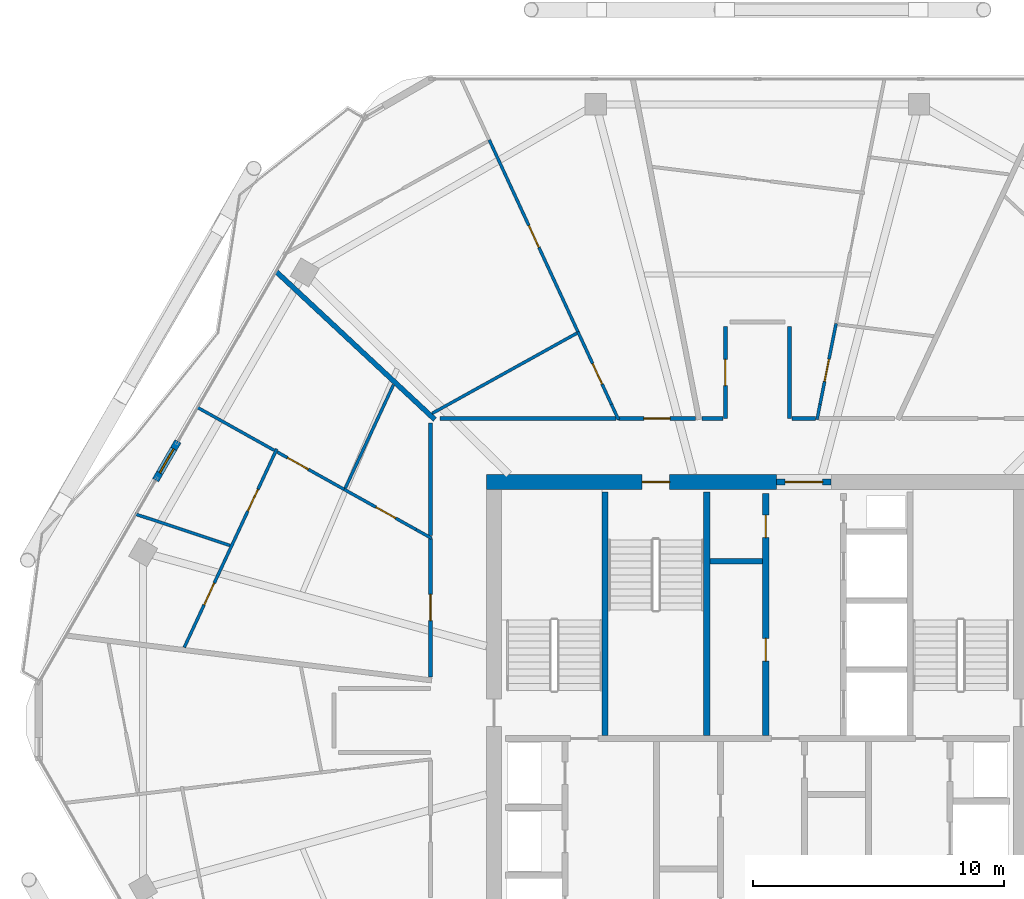
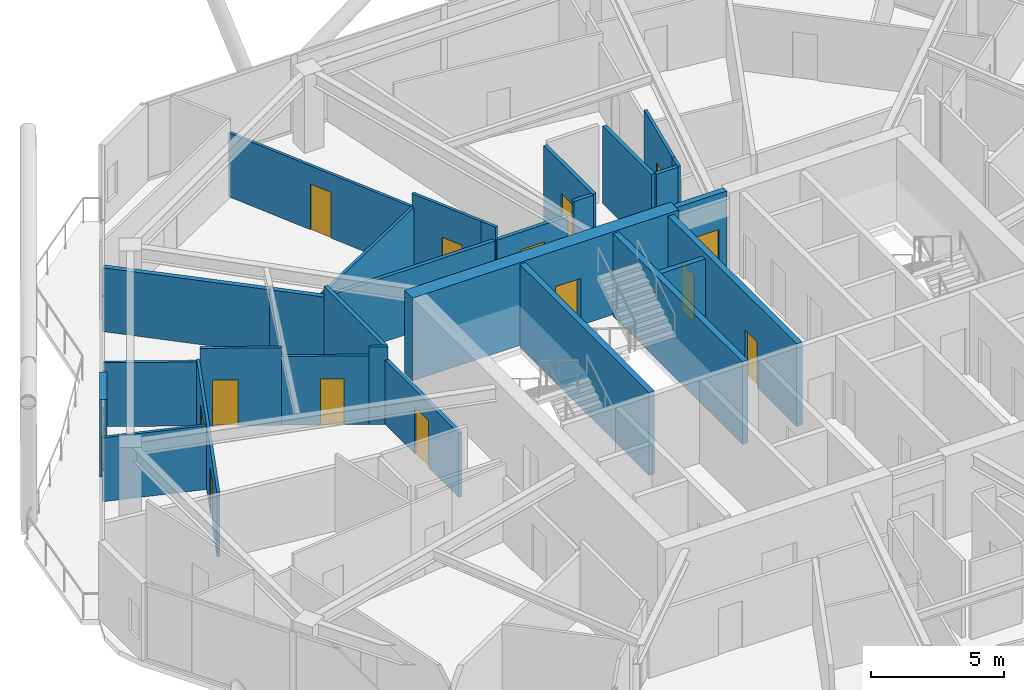
# One storey, part 23 of 29: 29 walls, 15 doors, 15 openings.
"""IFC4 building model written with IfcOpenShell, lengths in metres."""

from ifc_helpers import new_model, si_unit, direction, frame, frame_2d, origin, place, context, subcontext, project, spatial, rectangle, extrude, material, layer, layer_set, type_object, element, fill, save


model = new_model("IFC4")

# Units and contexts
model_context = context("Model", 3, precision=1e-05, world=origin(), true_north=direction((0.0, 1.0)))
body_context = subcontext(model_context, "Body", "Model", "MODEL_VIEW")
ifc_project = project(units=[si_unit("LENGTHUNIT", "METRE"), si_unit("AREAUNIT", "SQUARE_METRE"), si_unit("VOLUMEUNIT", "CUBIC_METRE"), si_unit("PLANEANGLEUNIT", "RADIAN"), si_unit("MASSUNIT", "GRAM", prefix="KILO")], contexts=[model_context])

# Site, building, storey
site_placement = place(None, origin())
site = spatial("IfcSite", under=ifc_project, at=site_placement, CompositionType="ELEMENT")
building_placement = place(site_placement, origin())
building = spatial("IfcBuilding", under=site, at=building_placement, Name="Zuhravey Tower", CompositionType="ELEMENT")
storey_placement = place(building_placement, frame((0.0, 0.0, 269.199951171875)))
storey = spatial("IfcBuildingStorey", under=building, at=storey_placement, Name="L68", CompositionType="ELEMENT", Elevation=269.199951171875)

# Wall, opening, door
ifc_material_1 = material(Name="Concrete C50/60", Category="concrete")
ifc_layer_1 = layer(ifc_material_1, 0.60009765625)
ifc_layer_set_1 = layer_set([ifc_layer_1], Name="Concrete C50/60")
wall_type_1 = type_object("IfcWallType", Name="Core Shear Wall 600", PredefinedType="SHEAR", material=ifc_layer_set_1)
wall_1_placement = place(storey_placement, frame((36.75, 41.5, 0.0), z_axis=(0.0, 0.0, 1.0), x_axis=(-1.0, 0.0, 0.0)))
wall_1 = element("IfcWall", 1, at=wall_1_placement, inside=storey, type_object=wall_type_1, Name="L68 North-West Core Shear Wall CW60", PredefinedType="SHEAR", context=body_context, shape_type="SweptSolid", body=[
    extrude(rectangle(XDim=11.550048828125, YDim=0.60009765625, at=frame_2d((5.77490234375, 0.0))), origin(), (0.0, 0.0, 1.0), 3.800048828125),
])
opening_1_placement = place(wall_1_placement, frame((4.25, 0.0, 0.0)))
opening_1 = element("IfcOpeningElement", 2, at=opening_1_placement, cuts=wall_1, Name="Opening STD1", PredefinedType="OPENING", context=body_context, shape_type="SweptSolid", body=[
    extrude(rectangle(XDim=1.10009765625, YDim=2.14990234375, at=frame_2d((0.550048828125, 1.074951171875))), frame((0.0, 0.31201171875, 0.0), z_axis=(0.0, -1.0, 0.0), x_axis=(1.0, 0.0, 0.0)), (0.0, 0.0, 1.0), 0.6240234375),
])
ifc_material_2 = material(Name="Galvanised fire-rated steel leaf", Category="steel")
door_type_1 = type_object("IfcDoorType", Name="Protected Stair Fire Door 1100x2150", OperationType="NOTDEFINED", PredefinedType="USERDEFINED", material=ifc_material_2)
door_1_placement = place(opening_1_placement, origin())
door_1 = element("IfcDoor", 3, at=door_1_placement, inside=storey, type_object=door_type_1, Name="L68 Stair ST3 Door", ObjectType="EXITDOOR", OperationType="SINGLE_SWING_RIGHT", OverallHeight=2.14990234375, OverallWidth=1.10009765625, PredefinedType="USERDEFINED", context=body_context, shape_type="SweptSolid", body=[
    extrude(rectangle(XDim=1.10009765625, YDim=2.14990234375, at=frame_2d((0.550048828125, 1.074951171875))), frame((0.0, 0.02490234375, 0.0), z_axis=(0.0, -1.0, 0.0), x_axis=(1.0, 0.0, 0.0)), (0.0, 0.0, 1.0), 0.050048828125),
])
fill(opening_1, door_1)

ifc_material_3 = material(Name="Gypsum fire-rated stud partition")
ifc_layer_2 = layer(ifc_material_3, 0.159912109375)
ifc_layer_set_2 = layer_set([ifc_layer_2], Name="Gypsum fire-rated stud partition")
wall_type_2 = type_object("IfcWallType", Name="Corridor Fire Partition 160", PredefinedType="PARTITIONING", material=ifc_layer_set_2)
wall_2_placement = place(storey_placement, frame((22.969970703125, 39.25927734375, 0.0), z_axis=(0.0, 0.0, 1.0), x_axis=(0.0, -1.0, 0.0)))
wall_2 = element("IfcWall", 4, at=wall_2_placement, inside=storey, type_object=wall_type_2, Name="L68 IW16 Partition 025", PredefinedType="PARTITIONING", context=body_context, shape_type="SweptSolid", body=[
    extrude(rectangle(XDim=5.523681640625, YDim=0.159912109375, at=frame_2d((2.76171875, 0.0))), origin(), (0.0, 0.0, 1.0), 2.949951171875),
])
opening_2_placement = place(wall_2_placement, frame((2.23681640625, 0.0, 0.0)))
opening_2 = element("IfcOpeningElement", 5, at=opening_2_placement, cuts=wall_2, Name="Opening APD1", PredefinedType="OPENING", context=body_context, shape_type="SweptSolid", body=[
    extrude(rectangle(XDim=1.050048828125, YDim=2.14990234375, at=frame_2d((0.52490234375, 1.074951171875))), frame((0.0, 0.092041015625, 0.0), z_axis=(0.0, -1.0, 0.0), x_axis=(1.0, 0.0, 0.0)), (0.0, 0.0, 1.0), 0.183837890625),
])
ifc_material_4 = material(Name="Solid-core oak fire-rated leaf")
door_type_2 = type_object("IfcDoorType", Name="Apartment Entrance Fire Door 1050x2150", OperationType="NOTDEFINED", PredefinedType="DOOR", material=ifc_material_4)
door_2_placement = place(opening_2_placement, frame((1.050048828125, 0.0, 0.0), z_axis=(0.0, 0.0, 1.0), x_axis=(-1.0, 0.0, 0.0)))
door_2 = element("IfcDoor", 6, at=door_2_placement, inside=storey, type_object=door_type_2, Name="L68 Door 025.1", OperationType="SINGLE_SWING_RIGHT", OverallHeight=2.14990234375, OverallWidth=1.050048828125, PredefinedType="DOOR", context=body_context, shape_type="SweptSolid", body=[
    extrude(rectangle(XDim=1.050048828125, YDim=2.14990234375, at=frame_2d((0.52490234375, 1.074951171875))), frame((0.0, 0.02490234375, 0.0), z_axis=(0.0, -1.0, 0.0), x_axis=(1.0, 0.0, 0.0)), (0.0, 0.0, 1.0), 0.050048828125),
])
fill(opening_2, door_2)

wall_3_placement = place(storey_placement, frame((34.719970703125, 47.699951171875, 0.0), z_axis=(0.0, 0.0, 1.0), x_axis=(0.0, -1.0, 0.0)))
wall_3 = element("IfcWall", 7, at=wall_3_placement, inside=storey, type_object=wall_type_2, Name="L68 IW16 Partition 065", PredefinedType="PARTITIONING", context=body_context, shape_type="SweptSolid", body=[
    extrude(rectangle(XDim=3.669921875, YDim=0.159912109375, at=frame_2d((1.8349609375, 0.0))), origin(), (0.0, 0.0, 1.0), 3.550048828125),
])
opening_3_placement = place(wall_3_placement, frame((1.31005859375, 0.0, 0.0)))
opening_3 = element("IfcOpeningElement", 8, at=opening_3_placement, cuts=wall_3, Name="Opening APD1", PredefinedType="OPENING", context=body_context, shape_type="SweptSolid", body=[
    extrude(rectangle(XDim=1.050048828125, YDim=2.14990234375, at=frame_2d((0.52490234375, 1.074951171875))), frame((0.0, 0.092041015625, 0.0), z_axis=(0.0, -1.0, 0.0), x_axis=(1.0, 0.0, 0.0)), (0.0, 0.0, 1.0), 0.183837890625),
])
door_3_placement = place(opening_3_placement, origin())
door_3 = element("IfcDoor", 9, at=door_3_placement, inside=storey, type_object=door_type_2, Name="L68 Door 065.1", OperationType="SINGLE_SWING_LEFT", OverallHeight=2.14990234375, OverallWidth=1.050048828125, PredefinedType="DOOR", context=body_context, shape_type="SweptSolid", body=[
    extrude(rectangle(XDim=1.050048828125, YDim=2.14990234375, at=frame_2d((0.52490234375, 1.074951171875))), frame((0.0, 0.02490234375, 0.0), z_axis=(0.0, -1.0, 0.0), x_axis=(1.0, 0.0, 0.0)), (0.0, 0.0, 1.0), 0.050048828125),
])
fill(opening_3, door_3)

wall_4_placement = place(storey_placement, frame((33.531982421875, 44.030029296875, 0.0), z_axis=(0.0, 0.0, 1.0), x_axis=(-1.0, 0.0, 0.0)))
wall_4 = element("IfcWall", 10, at=wall_4_placement, inside=storey, type_object=wall_type_2, Name="L68 IW16 Partition 069", PredefinedType="PARTITIONING", context=body_context, shape_type="SweptSolid", body=[
    extrude(rectangle(XDim=3.068603515625, YDim=0.159912109375, at=frame_2d((1.5341796875, 0.0))), origin(), (0.0, 0.0, 1.0), 2.949951171875),
])
opening_4_placement = place(wall_4_placement, frame((1.00927734375, 0.0, 0.0)))
opening_4 = element("IfcOpeningElement", 11, at=opening_4_placement, cuts=wall_4, Name="Opening APD1", PredefinedType="OPENING", context=body_context, shape_type="SweptSolid", body=[
    extrude(rectangle(XDim=1.050048828125, YDim=2.14990234375, at=frame_2d((0.52490234375, 1.074951171875))), frame((0.0, 0.092041015625, 0.0), z_axis=(0.0, -1.0, 0.0), x_axis=(1.0, 0.0, 0.0)), (0.0, 0.0, 1.0), 0.183837890625),
])
door_4_placement = place(opening_4_placement, frame((1.050048828125, 0.0, 0.0), z_axis=(0.0, 0.0, 1.0), x_axis=(-1.0, 0.0, 0.0)))
door_4 = element("IfcDoor", 12, at=door_4_placement, inside=storey, type_object=door_type_2, Name="L68 Door 069.1", OperationType="SINGLE_SWING_LEFT", OverallHeight=2.14990234375, OverallWidth=1.050048828125, PredefinedType="DOOR", context=body_context, shape_type="SweptSolid", body=[
    extrude(rectangle(XDim=1.050048828125, YDim=2.14990234375, at=frame_2d((0.52490234375, 1.074951171875))), frame((0.0, 0.02490234375, 0.0), z_axis=(0.0, -1.0, 0.0), x_axis=(1.0, 0.0, 0.0)), (0.0, 0.0, 1.0), 0.050048828125),
])
fill(opening_4, door_4)

# Walls
wall_5_placement = place(storey_placement, frame((22.969970703125, 43.85009765625, 0.0), z_axis=(0.0, 0.0, 1.0), x_axis=(0.0, -1.0, 0.0)))
element("IfcWall", 13, at=wall_5_placement, inside=storey, type_object=wall_type_2, Name="L68 IW16 Partition 113", PredefinedType="PARTITIONING", context=body_context, shape_type="SweptSolid", body=[
    extrude(rectangle(XDim=4.489990234375, YDim=0.159912109375, at=frame_2d((2.2451171875, 0.0))), origin(), (0.0, 0.0, 1.0), 3.550048828125),
])
wall_6_placement = place(storey_placement, frame((37.280029296875, 44.030029296875, 0.0), z_axis=(0.0, 0.0, 1.0), x_axis=(0.0, 1.0, 0.0)))
element("IfcWall", 14, at=wall_6_placement, inside=storey, type_object=wall_type_2, Name="L68 IW16 Partition 129", PredefinedType="PARTITIONING", context=body_context, shape_type="SweptSolid", body=[
    extrude(rectangle(XDim=3.669921875, YDim=0.159912109375, at=frame_2d((1.8349609375, 0.0))), origin(), (0.0, 0.0, 1.0), 3.550048828125),
])
wall_7_placement = place(storey_placement, frame((38.312744140625, 44.030029296875, 0.0), z_axis=(0.0, 0.0, 1.0), x_axis=(-1.0, 0.0, 0.0)))
element("IfcWall", 15, at=wall_7_placement, inside=storey, type_object=wall_type_2, Name="L68 IW16 Partition 131", PredefinedType="PARTITIONING", context=body_context, shape_type="SweptSolid", body=[
    extrude(rectangle(XDim=0.94482421875, YDim=0.159912109375, at=frame_2d((0.472412109375, 0.0))), origin(), (0.0, 0.0, 1.0), 3.550048828125),
])
wall_8_placement = place(storey_placement, frame((34.632080078125, 44.030029296875, 0.0), z_axis=(0.0, 0.0, 1.0), x_axis=(-1.0, 0.0, 0.0)))
element("IfcWall", 16, at=wall_8_placement, inside=storey, type_object=wall_type_2, Name="L68 IW16 Partition 132", PredefinedType="PARTITIONING", context=body_context, shape_type="SweptSolid", body=[
    extrude(rectangle(XDim=0.84130859375, YDim=0.159912109375, at=frame_2d((0.420654296875, 0.0))), origin(), (0.0, 0.0, 1.0), 3.550048828125),
])
wall_9_placement = place(storey_placement, frame((30.366455078125, 44.030029296875, 0.0), z_axis=(0.0, 0.0, 1.0), x_axis=(-1.0, 0.0, 0.0)))
element("IfcWall", 17, at=wall_9_placement, inside=storey, type_object=wall_type_2, Name="L68 IW16 Partition 134", PredefinedType="PARTITIONING", context=body_context, shape_type="SweptSolid", body=[
    extrude(rectangle(XDim=7.014404296875, YDim=0.159912109375, at=frame_2d((3.50732421875, 0.0))), origin(), (0.0, 0.0, 1.0), 2.949951171875),
])

# Wall, opening, door
ifc_material_5 = material(Name="Precast concrete C40/50", Category="concrete")
ifc_layer_3 = layer(ifc_material_5, 0.280029296875)
ifc_layer_set_3 = layer_set([ifc_layer_3], Name="Precast concrete C40/50")
wall_type_3 = type_object("IfcWallType", Name="Crown Architectural Wall 280", PredefinedType="SOLIDWALL", material=ifc_layer_set_3)
wall_10_placement = place(storey_placement, frame((12.00830078125, 41.572021484375, 0.0), z_axis=(0.0, 0.0, 1.0), x_axis=(0.499982180423, 0.866035691677, 0.0)))
wall_10 = element("IfcWall", 18, at=wall_10_placement, inside=storey, type_object=wall_type_3, Name="L68 Face 3 Facade Pier EW28-1", PredefinedType="SOLIDWALL", context=body_context, shape_type="SweptSolid", body=[
    extrude(rectangle(XDim=1.7900390625, YDim=0.280029296875, at=frame_2d((0.89501953125, 0.0))), origin(), (0.0, 0.0, 1.0), 3.550048828125),
])
opening_5_placement = place(wall_10_placement, frame((0.344970703125, 0.0, 0.0)))
opening_5 = element("IfcOpeningElement", 19, at=opening_5_placement, cuts=wall_10, Name="Opening BLD1", PredefinedType="OPENING", context=body_context, shape_type="SweptSolid", body=[
    extrude(rectangle(XDim=1.10009765625, YDim=2.199951171875, at=frame_2d((0.550048828125, 1.10009765625))), frame((0.0, 0.152099609375, 0.0), z_axis=(0.0, -1.0, 0.0), x_axis=(1.0, 0.0, 0.0)), (0.0, 0.0, 1.0), 0.303955078125),
])
ifc_material_6 = material(Name="Thermally broken aluminium and low-E glass", Category="aluminium")
door_type_3 = type_object("IfcDoorType", Name="Balcony & Sky-Tray Glazed Door 1100x2200", OperationType="NOTDEFINED", PredefinedType="DOOR", material=ifc_material_6)
door_5_placement = place(opening_5_placement, frame((1.10009765625, 0.0, 0.0), z_axis=(0.0, 0.0, 1.0), x_axis=(-1.0, 0.0, 0.0)))
door_5 = element("IfcDoor", 20, at=door_5_placement, inside=storey, type_object=door_type_3, Name="L68 Face 3 Wave Balcony Door", OperationType="SINGLE_SWING_RIGHT", OverallHeight=2.199951171875, OverallWidth=1.10009765625, PredefinedType="DOOR", context=body_context, shape_type="SweptSolid", body=[
    extrude(rectangle(XDim=1.10009765625, YDim=2.199951171875, at=frame_2d((0.550048828125, 1.10009765625))), frame((0.0, 0.02490234375, 0.0), z_axis=(0.0, -1.0, 0.0), x_axis=(1.0, 0.0, 0.0)), (0.0, 0.0, 1.0), 0.050048828125),
])
fill(opening_5, door_5)

ifc_layer_4 = layer(ifc_material_1, 0.25)
ifc_layer_set_4 = layer_set([ifc_layer_4], Name="Concrete C50/60")
wall_type_4 = type_object("IfcWallType", Name="Firefighting Shaft & Stair Wall 250", PredefinedType="SOLIDWALL", material=ifc_layer_set_4)
wall_11_placement = place(storey_placement, frame((36.760009765625, 41.5, 0.0), z_axis=(0.0, 0.0, 1.0), x_axis=(1.0, 0.0, 0.0)))
wall_11 = element("IfcWall", 21, at=wall_11_placement, inside=storey, type_object=wall_type_4, Name="L68 FW25 Shaft Wall 002", PredefinedType="SOLIDWALL", context=body_context, shape_type="SweptSolid", body=[
    extrude(rectangle(XDim=2.179931640625, YDim=0.25, at=frame_2d((1.08984375, 0.0))), origin(), (0.0, 0.0, 1.0), 3.800048828125),
])
opening_6_placement = place(wall_11_placement, frame((0.340087890625, 0.0, 0.0)))
opening_6 = element("IfcOpeningElement", 22, at=opening_6_placement, cuts=wall_11, Name="Opening FFD1", PredefinedType="OPENING", context=body_context, shape_type="SweptSolid", body=[
    extrude(rectangle(XDim=1.5, YDim=2.14990234375, at=frame_2d((0.75, 1.074951171875))), frame((0.0, 0.136962890625, 0.0), z_axis=(0.0, -1.0, 0.0), x_axis=(1.0, 0.0, 0.0)), (0.0, 0.0, 1.0), 0.27392578125),
])
door_type_4 = type_object("IfcDoorType", Name="Firefighting Lobby Double Door 1500x2150", OperationType="DOUBLE_DOOR_SINGLE_SWING", PredefinedType="DOOR", material=ifc_material_2)
door_6_placement = place(opening_6_placement, origin())
door_6 = element("IfcDoor", 23, at=door_6_placement, inside=storey, type_object=door_type_4, Name="L68 North Lift Lobby Exit Door", OperationType="DOUBLE_DOOR_SINGLE_SWING", OverallHeight=2.14990234375, OverallWidth=1.5, PredefinedType="DOOR", context=body_context, shape_type="SweptSolid", body=[
    extrude(rectangle(XDim=1.5, YDim=2.14990234375, at=frame_2d((0.75, 1.074951171875))), frame((0.0, 0.02490234375, 0.0), z_axis=(0.0, -1.0, 0.0), x_axis=(1.0, 0.0, 0.0)), (0.0, 0.0, 1.0), 0.050048828125),
])
fill(opening_6, door_6)

# Walls
for number, where, z_axis, x_axis, name in (
    (24, (29.925048828125, 31.39990234375, 0.0), (0.0, 0.0, 1.0), (0.0, 1.0, 0.0), "L68 FW25 Shaft Wall 004"),
    (25, (33.97509765625, 31.39990234375, 0.0), (0.0, 0.0, 1.0), (0.0, 1.0, 0.0), "L68 FW25 Shaft Wall 005"),
):
    element("IfcWall", number, at=place(storey_placement, frame(where, z_axis=z_axis, x_axis=x_axis)), inside=storey, type_object=wall_type_4, Name=name, PredefinedType="SOLIDWALL", context=body_context, shape_type="SweptSolid", body=[
        extrude(rectangle(XDim=9.7001953125, YDim=0.25, at=frame_2d((4.85009765625, 0.0))), origin(), (0.0, 0.0, 1.0), 3.800048828125),
    ])

# Wall, openings, doors
wall_12_placement = place(storey_placement, frame((36.324951171875, 31.39990234375, 0.0), z_axis=(0.0, 0.0, 1.0), x_axis=(0.0, 1.0, 0.0)))
wall_12 = element("IfcWall", 26, at=wall_12_placement, inside=storey, type_object=wall_type_4, Name="L68 FW25 Shaft Wall 007", PredefinedType="SOLIDWALL", context=body_context, shape_type="SweptSolid", body=[
    extrude(rectangle(XDim=9.650146484375, YDim=0.25, at=frame_2d((4.8251953125, 0.0))), origin(), (0.0, 0.0, 1.0), 3.800048828125),
])
opening_7_placement = place(wall_12_placement, frame((2.965087890625, 0.0, 0.0)))
opening_7 = element("IfcOpeningElement", 27, at=opening_7_placement, cuts=wall_12, Name="Opening RSD1", PredefinedType="OPENING", context=body_context, shape_type="SweptSolid", body=[
    extrude(rectangle(XDim=0.89990234375, YDim=2.10009765625, at=frame_2d((0.449951171875, 1.050048828125))), frame((0.0, 0.136962890625, 0.0), z_axis=(0.0, -1.0, 0.0), x_axis=(1.0, 0.0, 0.0)), (0.0, 0.0, 1.0), 0.27392578125),
])
opening_8_placement = place(wall_12_placement, frame((7.885009765625, 0.0, 0.0)))
opening_8 = element("IfcOpeningElement", 28, at=opening_8_placement, cuts=wall_12, Name="Opening RSD1", PredefinedType="OPENING", context=body_context, shape_type="SweptSolid", body=[
    extrude(rectangle(XDim=0.89990234375, YDim=2.10009765625, at=frame_2d((0.449951171875, 1.050048828125))), frame((0.0, 0.136962890625, 0.0), z_axis=(0.0, -1.0, 0.0), x_axis=(1.0, 0.0, 0.0)), (0.0, 0.0, 1.0), 0.27392578125),
])
ifc_material_7 = material(Name="Galvanised fire-rated steel access leaf", Category="steel")
door_type_5 = type_object("IfcDoorType", Name="Riser & Shaft Access Fire Door 900x2100", OperationType="NOTDEFINED", PredefinedType="DOOR", material=ifc_material_7)
door_7_placement = place(opening_7_placement, origin())
door_7 = element("IfcDoor", 29, at=door_7_placement, inside=storey, type_object=door_type_5, Name="L68 Equipment and Refuse Store Door", OperationType="SINGLE_SWING_RIGHT", OverallHeight=2.10009765625, OverallWidth=0.89990234375, PredefinedType="DOOR", context=body_context, shape_type="SweptSolid", body=[
    extrude(rectangle(XDim=0.89990234375, YDim=2.10009765625, at=frame_2d((0.449951171875, 1.050048828125))), frame((0.0, 0.02490234375, 0.0), z_axis=(0.0, -1.0, 0.0), x_axis=(1.0, 0.0, 0.0)), (0.0, 0.0, 1.0), 0.050048828125),
])
fill(opening_7, door_7)
door_8_placement = place(opening_8_placement, origin())
door_8 = element("IfcDoor", 30, at=door_8_placement, inside=storey, type_object=door_type_5, Name="L68 BMS Control Room Door", OperationType="SINGLE_SWING_LEFT", OverallHeight=2.10009765625, OverallWidth=0.89990234375, PredefinedType="DOOR", context=body_context, shape_type="SweptSolid", body=[
    extrude(rectangle(XDim=0.89990234375, YDim=2.10009765625, at=frame_2d((0.449951171875, 1.050048828125))), frame((0.0, 0.02490234375, 0.0), z_axis=(0.0, -1.0, 0.0), x_axis=(1.0, 0.0, 0.0)), (0.0, 0.0, 1.0), 0.050048828125),
])
fill(opening_8, door_8)

# Walls
ifc_material_8 = material(Name="Gypsum double-stud party assembly")
ifc_layer_5 = layer(ifc_material_8, 0.199951171875)
ifc_layer_set_5 = layer_set([ifc_layer_5], Name="Gypsum double-stud party assembly")
wall_type_5 = type_object("IfcWallType", Name="Inter-Tenancy Party Wall 200", PredefinedType="PARTITIONING", material=ifc_layer_set_5)
wall_13_placement = place(storey_placement, frame((23.142578125, 43.989501953125, 0.0), z_axis=(0.0, 0.0, 1.0), x_axis=(-0.731342217011, 0.682010675589, 0.0)))
element("IfcWall", 31, at=wall_13_placement, inside=storey, type_object=wall_type_5, Name="L68 IW20 Partition 074", PredefinedType="PARTITIONING", context=body_context, shape_type="SweptSolid", body=[
    extrude(rectangle(XDim=8.65576171875, YDim=0.199951171875, at=frame_2d((4.327880859375, 0.0))), origin(), (0.0, 0.0, 1.0), 2.929931640625),
])
ifc_material_9 = material(Name="Gypsum acoustic stud assembly")
ifc_layer_6 = layer(ifc_material_9, 0.219970703125)
ifc_layer_set_6 = layer_set([ifc_layer_6], Name="Gypsum acoustic stud assembly")
wall_type_6 = type_object("IfcWallType", Name="School Acoustic Compartment Wall 220", PredefinedType="PARTITIONING", material=ifc_layer_set_6)
wall_14_placement = place(storey_placement, frame((34.10791015625, 38.35009765625, 0.0), z_axis=(0.0, 0.0, 1.0), x_axis=(1.0, 0.0, 0.0)))
element("IfcWall", 32, at=wall_14_placement, inside=storey, type_object=wall_type_6, Name="L68 IW22 Partition 070", PredefinedType="PARTITIONING", context=body_context, shape_type="SweptSolid", body=[
    extrude(rectangle(XDim=2.083984375, YDim=0.219970703125, at=frame_2d((1.0419921875, 0.0))), origin(), (0.0, 0.0, 1.0), 3.550048828125),
])

# Wall, openings, doors
ifc_material_10 = material(Name="Gypsum metal-stud partition")
ifc_layer_7 = layer(ifc_material_10, 0.1201171875)
ifc_layer_set_7 = layer_set([ifc_layer_7], Name="Gypsum metal-stud partition")
wall_type_7 = type_object("IfcWallType", Name="Unit Internal Partition 120", PredefinedType="PARTITIONING", material=ifc_layer_set_7)
wall_15_placement = place(storey_placement, frame((16.843017578125, 42.821044921875, 0.0), z_axis=(0.0, 0.0, 1.0), x_axis=(-0.422622187682, -0.90630595633, 0.0)))
wall_15 = element("IfcWall", 33, at=wall_15_placement, inside=storey, type_object=wall_type_7, Name="L68 IW12 Partition 021", PredefinedType="PARTITIONING", context=body_context, shape_type="SweptSolid", body=[
    extrude(rectangle(XDim=8.732177734375, YDim=0.1201171875, at=frame_2d((4.3662109375, 0.0))), origin(), (0.0, 0.0, 1.0), 2.949951171875),
])
opening_9_placement = place(wall_15_placement, frame((1.780029296875, 0.0, 0.0)))
opening_9 = element("IfcOpeningElement", 34, at=opening_9_placement, cuts=wall_15, Name="Opening IND1", PredefinedType="OPENING", context=body_context, shape_type="SweptSolid", body=[
    extrude(rectangle(XDim=0.949951171875, YDim=2.10009765625, at=frame_2d((0.47509765625, 1.050048828125))), frame((0.0, 0.072021484375, 0.0), z_axis=(0.0, -1.0, 0.0), x_axis=(1.0, 0.0, 0.0)), (0.0, 0.0, 1.0), 0.14404296875),
])
opening_10_placement = place(wall_15_placement, frame((5.905517578125, 0.0, 0.0)))
opening_10 = element("IfcOpeningElement", 35, at=opening_10_placement, cuts=wall_15, Name="Opening IND1", PredefinedType="OPENING", context=body_context, shape_type="SweptSolid", body=[
    extrude(rectangle(XDim=0.949951171875, YDim=2.10009765625, at=frame_2d((0.47509765625, 1.050048828125))), frame((0.0, 0.072021484375, 0.0), z_axis=(0.0, -1.0, 0.0), x_axis=(1.0, 0.0, 0.0)), (0.0, 0.0, 1.0), 0.14404296875),
])
ifc_material_11 = material(Name="Painted engineered timber leaf", Category="wood")
door_type_6 = type_object("IfcDoorType", Name="Internal Room & Bedroom Door 950x2100", OperationType="NOTDEFINED", PredefinedType="DOOR", material=ifc_material_11)
door_9_placement = place(opening_9_placement, frame((0.949951171875, 0.0, 0.0), z_axis=(0.0, 0.0, 1.0), x_axis=(-1.0, 0.0, 0.0)))
door_9 = element("IfcDoor", 36, at=door_9_placement, inside=storey, type_object=door_type_6, Name="Apartment L68-01 Family Study Door", OperationType="SINGLE_SWING_RIGHT", OverallHeight=2.10009765625, OverallWidth=0.949951171875, PredefinedType="DOOR", context=body_context, shape_type="SweptSolid", body=[
    extrude(rectangle(XDim=0.949951171875, YDim=2.10009765625, at=frame_2d((0.47509765625, 1.050048828125))), frame((0.0, 0.02490234375, 0.0), z_axis=(0.0, -1.0, 0.0), x_axis=(1.0, 0.0, 0.0)), (0.0, 0.0, 1.0), 0.050048828125),
])
fill(opening_9, door_9)
door_10_placement = place(opening_10_placement, frame((0.949951171875, 0.0, 0.0), z_axis=(0.0, 0.0, 1.0), x_axis=(-1.0, 0.0, 0.0)))
door_10 = element("IfcDoor", 37, at=door_10_placement, inside=storey, type_object=door_type_6, Name="Apartment L68-01 Dining Room Door", OperationType="SINGLE_SWING_LEFT", OverallHeight=2.10009765625, OverallWidth=0.949951171875, PredefinedType="DOOR", context=body_context, shape_type="SweptSolid", body=[
    extrude(rectangle(XDim=0.949951171875, YDim=2.10009765625, at=frame_2d((0.47509765625, 1.050048828125))), frame((0.0, 0.02490234375, 0.0), z_axis=(0.0, -1.0, 0.0), x_axis=(1.0, 0.0, 0.0)), (0.0, 0.0, 1.0), 0.050048828125),
])
fill(opening_10, door_10)

# Wall, opening, door
wall_16_placement = place(storey_placement, frame((22.39990234375, 39.600830078125, 0.0), z_axis=(0.0, 0.0, 1.0), x_axis=(-0.8729286445, 0.487847908279, 0.0)))
wall_16 = element("IfcWall", 38, at=wall_16_placement, inside=storey, type_object=wall_type_7, Name="L68 IW12 Partition 022", PredefinedType="PARTITIONING", context=body_context, shape_type="SweptSolid", body=[
    extrude(rectangle(XDim=3.29736328125, YDim=0.1201171875, at=frame_2d((1.648681640625, 0.0))), origin(), (0.0, 0.0, 1.0), 3.150146484375),
])
opening_11_placement = place(wall_16_placement, frame((0.934814453125, 0.0, 0.0)))
opening_11 = element("IfcOpeningElement", 39, at=opening_11_placement, cuts=wall_16, Name="Opening WCD1", PredefinedType="OPENING", context=body_context, shape_type="SweptSolid", body=[
    extrude(rectangle(XDim=0.89990234375, YDim=2.10009765625, at=frame_2d((0.449951171875, 1.050048828125))), frame((0.0, 0.072021484375, 0.0), z_axis=(0.0, -1.0, 0.0), x_axis=(1.0, 0.0, 0.0)), (0.0, 0.0, 1.0), 0.14404296875),
])
ifc_material_12 = material(Name="Moisture-resistant timber leaf", Category="wood")
door_type_7 = type_object("IfcDoorType", Name="Bathroom & WC Internal Door 900x2100", OperationType="NOTDEFINED", PredefinedType="DOOR", material=ifc_material_12)
door_11_placement = place(opening_11_placement, frame((0.89990234375, 0.0, 0.0), z_axis=(0.0, 0.0, 1.0), x_axis=(-1.0, 0.0, 0.0)))
door_11 = element("IfcDoor", 40, at=door_11_placement, inside=storey, type_object=door_type_7, Name="Apartment L68-01 Bathroom Door", OperationType="SINGLE_SWING_RIGHT", OverallHeight=2.10009765625, OverallWidth=0.89990234375, PredefinedType="DOOR", context=body_context, shape_type="SweptSolid", body=[
    extrude(rectangle(XDim=0.89990234375, YDim=2.10009765625, at=frame_2d((0.449951171875, 1.050048828125))), frame((0.0, 0.02490234375, 0.0), z_axis=(0.0, -1.0, 0.0), x_axis=(1.0, 0.0, 0.0)), (0.0, 0.0, 1.0), 0.050048828125),
])
fill(opening_11, door_11)

wall_17_placement = place(storey_placement, frame((19.521484375, 41.20947265625, 0.0), z_axis=(0.0, 0.0, 1.0), x_axis=(-0.87290035316, 0.487898527824, 0.0)))
wall_17 = element("IfcWall", 41, at=wall_17_placement, inside=storey, type_object=wall_type_7, Name="L68 IW12 Partition 023", PredefinedType="PARTITIONING", context=body_context, shape_type="SweptSolid", body=[
    extrude(rectangle(XDim=3.048828125, YDim=0.1201171875, at=frame_2d((1.5244140625, 0.0))), origin(), (0.0, 0.0, 1.0), 3.550048828125),
])
opening_12_placement = place(wall_17_placement, frame((1.6328125, 0.0, 0.0)))
opening_12 = element("IfcOpeningElement", 42, at=opening_12_placement, cuts=wall_17, Name="Opening IND1", PredefinedType="OPENING", context=body_context, shape_type="SweptSolid", body=[
    extrude(rectangle(XDim=0.949951171875, YDim=2.10009765625, at=frame_2d((0.47509765625, 1.050048828125))), frame((0.0, 0.072021484375, 0.0), z_axis=(0.0, -1.0, 0.0), x_axis=(1.0, 0.0, 0.0)), (0.0, 0.0, 1.0), 0.14404296875),
])
door_12_placement = place(opening_12_placement, frame((0.949951171875, 0.0, 0.0), z_axis=(0.0, 0.0, 1.0), x_axis=(-1.0, 0.0, 0.0)))
door_12 = element("IfcDoor", 43, at=door_12_placement, inside=storey, type_object=door_type_6, Name="Apartment L68-01 Bedroom 1 Door", OperationType="SINGLE_SWING_LEFT", OverallHeight=2.10009765625, OverallWidth=0.949951171875, PredefinedType="DOOR", context=body_context, shape_type="SweptSolid", body=[
    extrude(rectangle(XDim=0.949951171875, YDim=2.10009765625, at=frame_2d((0.47509765625, 1.050048828125))), frame((0.0, 0.02490234375, 0.0), z_axis=(0.0, -1.0, 0.0), x_axis=(1.0, 0.0, 0.0)), (0.0, 0.0, 1.0), 0.050048828125),
])
fill(opening_12, door_12)

# Wall
wall_18_placement = place(storey_placement, frame((16.740966796875, 42.763427734375, 0.0), z_axis=(0.0, 0.0, 1.0), x_axis=(-0.872910360515, 0.487880623212, 0.0)))
element("IfcWall", 44, at=wall_18_placement, inside=storey, type_object=wall_type_7, Name="L68 IW12 Partition 024", PredefinedType="PARTITIONING", context=body_context, shape_type="SweptSolid", body=[
    extrude(rectangle(XDim=3.50830078125, YDim=0.1201171875, at=frame_2d((1.754150390625, 0.0))), origin(), (0.0, 0.0, 1.0), 2.929931640625),
])

# Wall, opening, door
wall_19_placement = place(storey_placement, frame((38.494873046875, 44.60009765625, 0.0), z_axis=(0.0, 0.0, 1.0), x_axis=(0.194240919575, 0.980953854757, 0.0)))
wall_19 = element("IfcWall", 45, at=wall_19_placement, inside=storey, type_object=wall_type_7, Name="L68 IW12 Partition 061", PredefinedType="PARTITIONING", context=body_context, shape_type="SweptSolid", body=[
    extrude(rectangle(XDim=3.280517578125, YDim=0.1201171875, at=frame_2d((1.64013671875, 0.0))), origin(), (0.0, 0.0, 1.0), 3.550048828125),
])
opening_13_placement = place(wall_19_placement, frame((0.927734375, 0.0, 0.0)))
opening_13 = element("IfcOpeningElement", 46, at=opening_13_placement, cuts=wall_19, Name="Opening WCD1", PredefinedType="OPENING", context=body_context, shape_type="SweptSolid", body=[
    extrude(rectangle(XDim=0.89990234375, YDim=2.10009765625, at=frame_2d((0.449951171875, 1.050048828125))), frame((0.0, 0.072021484375, 0.0), z_axis=(0.0, -1.0, 0.0), x_axis=(1.0, 0.0, 0.0)), (0.0, 0.0, 1.0), 0.14404296875),
])
door_13_placement = place(opening_13_placement, frame((0.89990234375, 0.0, 0.0), z_axis=(0.0, 0.0, 1.0), x_axis=(-1.0, 0.0, 0.0)))
door_13 = element("IfcDoor", 47, at=door_13_placement, inside=storey, type_object=door_type_7, Name="Apartment L68-09 Bathroom Door", OperationType="SINGLE_SWING_RIGHT", OverallHeight=2.10009765625, OverallWidth=0.89990234375, PredefinedType="DOOR", context=body_context, shape_type="SweptSolid", body=[
    extrude(rectangle(XDim=0.89990234375, YDim=2.10009765625, at=frame_2d((0.449951171875, 1.050048828125))), frame((0.0, 0.02490234375, 0.0), z_axis=(0.0, -1.0, 0.0), x_axis=(1.0, 0.0, 0.0)), (0.0, 0.0, 1.0), 0.050048828125),
])
fill(opening_13, door_13)

wall_20_placement = place(storey_placement, frame((30.177978515625, 44.60009765625, 0.0), z_axis=(0.0, 0.0, 1.0), x_axis=(-0.419438119549, 0.907783930167, 0.0)))
wall_20 = element("IfcWall", 48, at=wall_20_placement, inside=storey, type_object=wall_type_7, Name="L68 IW12 Partition 066", PredefinedType="PARTITIONING", context=body_context, shape_type="SweptSolid", body=[
    extrude(rectangle(XDim=3.177978515625, YDim=0.1201171875, at=frame_2d((1.5888671875, 0.0))), origin(), (0.0, 0.0, 1.0), 3.550048828125),
])
opening_14_placement = place(wall_20_placement, frame((0.884765625, 0.0, 0.0)))
opening_14 = element("IfcOpeningElement", 49, at=opening_14_placement, cuts=wall_20, Name="Opening WCD1", PredefinedType="OPENING", context=body_context, shape_type="SweptSolid", body=[
    extrude(rectangle(XDim=0.89990234375, YDim=2.10009765625, at=frame_2d((0.449951171875, 1.050048828125))), frame((0.0, 0.072021484375, 0.0), z_axis=(0.0, -1.0, 0.0), x_axis=(1.0, 0.0, 0.0)), (0.0, 0.0, 1.0), 0.14404296875),
])
door_14_placement = place(opening_14_placement, origin())
door_14 = element("IfcDoor", 50, at=door_14_placement, inside=storey, type_object=door_type_7, Name="Apartment L68-10 Bathroom Door", OperationType="SINGLE_SWING_RIGHT", OverallHeight=2.10009765625, OverallWidth=0.89990234375, PredefinedType="DOOR", context=body_context, shape_type="SweptSolid", body=[
    extrude(rectangle(XDim=0.89990234375, YDim=2.10009765625, at=frame_2d((0.449951171875, 1.050048828125))), frame((0.0, 0.02490234375, 0.0), z_axis=(0.0, -1.0, 0.0), x_axis=(1.0, 0.0, 0.0)), (0.0, 0.0, 1.0), 0.050048828125),
])
fill(opening_14, door_14)

wall_21_placement = place(storey_placement, frame((28.844970703125, 47.485107421875, 0.0), z_axis=(0.0, 0.0, 1.0), x_axis=(-0.419453006553, 0.907777051535, 0.0)))
wall_21 = element("IfcWall", 51, at=wall_21_placement, inside=storey, type_object=wall_type_7, Name="L68 IW12 Partition 067", PredefinedType="PARTITIONING", context=body_context, shape_type="SweptSolid", body=[
    extrude(rectangle(XDim=8.4296875, YDim=0.1201171875, at=frame_2d((4.21484375, 0.0))), origin(), (0.0, 0.0, 1.0), 2.929931640625),
])
opening_15_placement = place(wall_21_placement, frame((3.71484375, 0.0, 0.0)))
opening_15 = element("IfcOpeningElement", 52, at=opening_15_placement, cuts=wall_21, Name="Opening IND1", PredefinedType="OPENING", context=body_context, shape_type="SweptSolid", body=[
    extrude(rectangle(XDim=0.949951171875, YDim=2.10009765625, at=frame_2d((0.47509765625, 1.050048828125))), frame((0.0, 0.072021484375, 0.0), z_axis=(0.0, -1.0, 0.0), x_axis=(1.0, 0.0, 0.0)), (0.0, 0.0, 1.0), 0.14404296875),
])
door_15_placement = place(opening_15_placement, origin())
door_15 = element("IfcDoor", 53, at=door_15_placement, inside=storey, type_object=door_type_6, Name="Apartment L68-10 Home Office Door", OperationType="SINGLE_SWING_LEFT", OverallHeight=2.10009765625, OverallWidth=0.949951171875, PredefinedType="DOOR", context=body_context, shape_type="SweptSolid", body=[
    extrude(rectangle(XDim=0.949951171875, YDim=2.10009765625, at=frame_2d((0.47509765625, 1.050048828125))), frame((0.0, 0.02490234375, 0.0), z_axis=(0.0, -1.0, 0.0), x_axis=(1.0, 0.0, 0.0)), (0.0, 0.0, 1.0), 0.050048828125),
])
fill(opening_15, door_15)

# Walls
wall_22_placement = place(storey_placement, frame((14.97412109375, 38.97412109375, 0.0), z_axis=(0.0, 0.0, 1.0), x_axis=(-0.949166828302, 0.31477346148, 0.0)))
element("IfcWall", 54, at=wall_22_placement, inside=storey, type_object=wall_type_7, Name="L68 IW12 Partition 075", PredefinedType="PARTITIONING", context=body_context, shape_type="SweptSolid", body=[
    extrude(rectangle(XDim=3.979736328125, YDim=0.1201171875, at=frame_2d((1.98974609375, 0.0))), origin(), (0.0, 0.0, 1.0), 2.929931640625),
])
wall_23_placement = place(storey_placement, frame((23.010986328125, 39.25927734375, 0.0), z_axis=(0.0, 0.0, 1.0), x_axis=(-0.872904168108, 0.48789170243, 0.0)))
element("IfcWall", 55, at=wall_23_placement, inside=storey, type_object=wall_type_7, Name="L68 IW12 Partition 076", PredefinedType="PARTITIONING", context=body_context, shape_type="SweptSolid", body=[
    extrude(rectangle(XDim=0.699951171875, YDim=0.1201171875, at=frame_2d((0.35009765625, 0.0))), origin(), (0.0, 0.0, 1.0), 3.550048828125),
])
wall_24_placement = place(storey_placement, frame((21.49365234375, 45.379638671875, 0.0), z_axis=(0.0, 0.0, 1.0), x_axis=(-0.422603236373, -0.906314793329, 0.0)))
element("IfcWall", 56, at=wall_24_placement, inside=storey, type_object=wall_type_7, Name="L68 IW12 Partition 077", PredefinedType="PARTITIONING", context=body_context, shape_type="SweptSolid", body=[
    extrude(rectangle(XDim=4.546630859375, YDim=0.1201171875, at=frame_2d((2.2734375, 0.0))), origin(), (0.0, 0.0, 1.0), 3.150146484375),
])
wall_25_placement = place(storey_placement, frame((38.373291015625, 43.985595703125, 0.0), z_axis=(0.0, 0.0, 1.0), x_axis=(0.194092051537, 0.98098332072, 0.0)))
element("IfcWall", 57, at=wall_25_placement, inside=storey, type_object=wall_type_7, Name="L68 IW12 Partition 106", PredefinedType="PARTITIONING", context=body_context, shape_type="SweptSolid", body=[
    extrude(rectangle(XDim=0.62646484375, YDim=0.1201171875, at=frame_2d((0.313232421875, 0.0))), origin(), (0.0, 0.0, 1.0), 3.550048828125),
])
wall_26_placement = place(storey_placement, frame((30.461181640625, 43.9873046875, 0.0), z_axis=(0.0, 0.0, 1.0), x_axis=(-0.419516805105, 0.907747569666, 0.0)))
element("IfcWall", 58, at=wall_26_placement, inside=storey, type_object=wall_type_7, Name="L68 IW12 Partition 110", PredefinedType="PARTITIONING", context=body_context, shape_type="SweptSolid", body=[
    extrude(rectangle(XDim=0.675048828125, YDim=0.1201171875, at=frame_2d((0.33740234375, 0.0))), origin(), (0.0, 0.0, 1.0), 3.550048828125),
])
wall_27_placement = place(storey_placement, frame((28.7958984375, 47.42919921875, 0.0), z_axis=(0.0, 0.0, 1.0), x_axis=(-0.874623780767, -0.484802271155, 0.0)))
element("IfcWall", 59, at=wall_27_placement, inside=storey, type_object=wall_type_7, Name="L68 IW12 Partition 112", PredefinedType="PARTITIONING", context=body_context, shape_type="SweptSolid", body=[
    extrude(rectangle(XDim=6.58544921875, YDim=0.1201171875, at=frame_2d((3.292724609375, 0.0))), origin(), (0.0, 0.0, 1.0), 2.949951171875),
])

save(model, "model.ifc")
